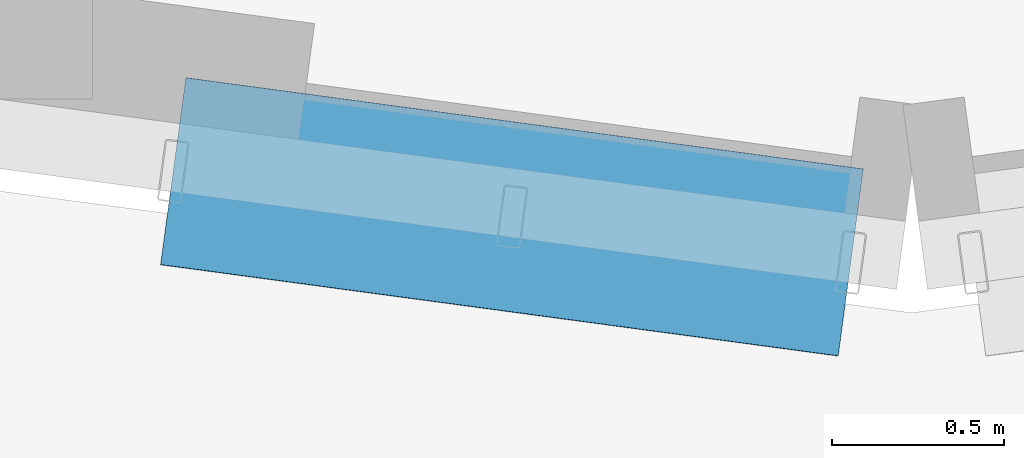
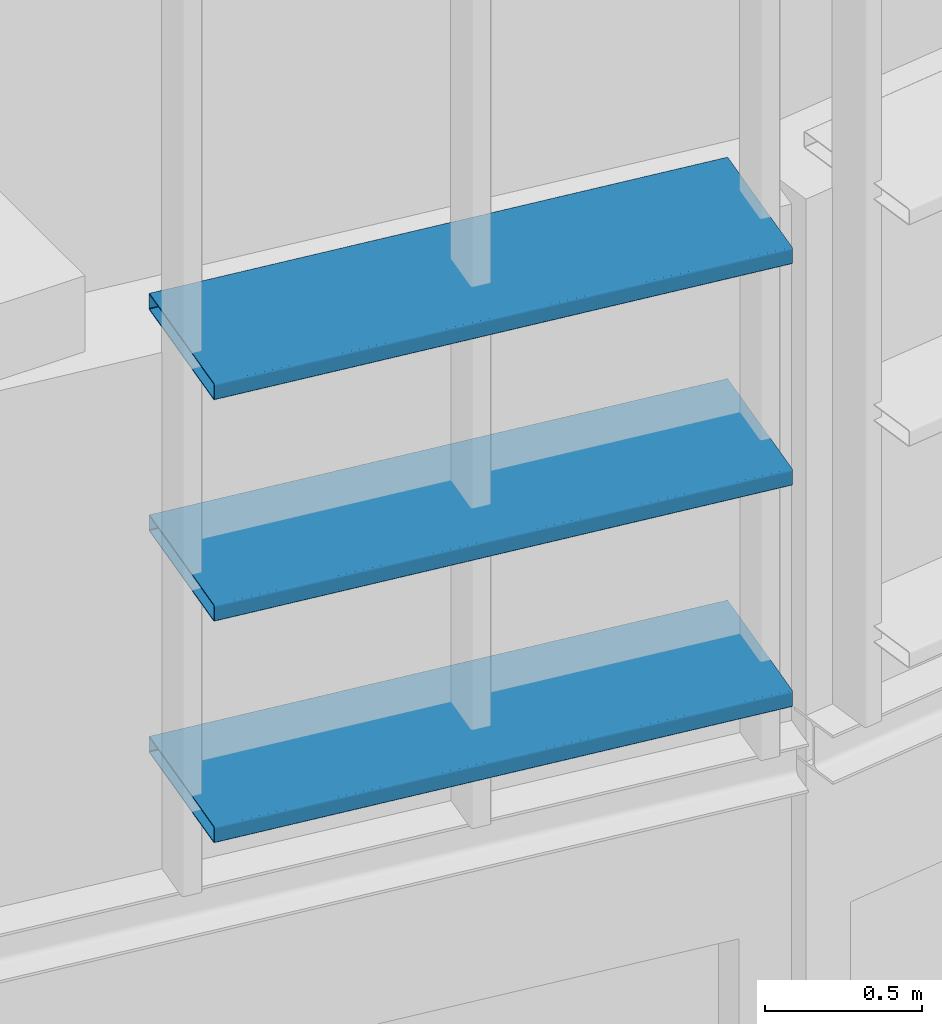
# One storey, part 34 of 372: 3 members.
"""IFC4 building model written with IfcOpenShell, lengths in metres."""

from ifc_helpers import new_model, si_unit, direction, frame, origin, origin_2d, place, context, subcontext, project, spatial, hollow_rectangle, extrude, material, material_profile, profile_set, type_object, element, save


model = new_model("IFC4")

# Units and contexts
model_context = context("Model", 3, precision=1e-05, world=origin(), true_north=direction((0.0, 1.0)))
body_context = subcontext(model_context, "Body", "Model", "MODEL_VIEW")
ifc_project = project(units=[si_unit("LENGTHUNIT", "METRE"), si_unit("AREAUNIT", "SQUARE_METRE"), si_unit("VOLUMEUNIT", "CUBIC_METRE"), si_unit("PLANEANGLEUNIT", "RADIAN"), si_unit("MASSUNIT", "GRAM", prefix="KILO")], contexts=[model_context])

# Site, building, storey
site_placement = place(None, origin())
site = spatial("IfcSite", under=ifc_project, at=site_placement, CompositionType="ELEMENT")
building_placement = place(site_placement, origin())
building = spatial("IfcBuilding", under=site, at=building_placement, Name="Kaelora Sail Theatre", CompositionType="ELEMENT")
storey_placement = place(building_placement, origin())
storey = spatial("IfcBuildingStorey", under=building, at=storey_placement, Name="L00", CompositionType="ELEMENT", Elevation=0.0)

# Members
ifc_material = material(Name="Anodised aluminium 6063-T6", Category="aluminium")
ifc_material_profile = material_profile(ifc_material, hollow_rectangle(XDim=0.550048828125, YDim=0.06494140625, WallThickness=0.00390625, InnerFilletRadius=0.00390625, OuterFilletRadius=0.008056640625, at=origin_2d()), Name="LOUVRE 550x65x4")
ifc_profile_set = profile_set([ifc_material_profile], Name="Anodised aluminium 6063-T6")
member_type = type_object("IfcMemberType", Name="ARC-MEM-LVR-300", PredefinedType="USERDEFINED", material=ifc_profile_set)
for number, where, z_axis, x_axis, name in (
    (1, (41.822021484375, 23.561279296875, 3.449951171875), (-0.991052229698, 0.133474634331, 0.0), (-0.133474634331, -0.991052229698, 0.0), "Main Theatre Sail Drum horizontal solar louvre C12-01"),
    (2, (41.822021484375, 23.561279296875, 4.31005859375), (-0.991052229698, 0.133474634331, 0.0), (-0.133474634331, -0.991052229698, 0.0), "Main Theatre Sail Drum horizontal solar louvre C12-02"),
    (3, (41.822021484375, 23.561279296875, 5.169921875), (-0.991052229698, 0.133474634331, 0.0), (-0.133474634331, -0.991052229698, 0.0), "Main Theatre Sail Drum horizontal solar louvre C12-03"),
):
    element("IfcMember", number, at=place(storey_placement, frame(where, z_axis=z_axis, x_axis=x_axis)), inside=storey, type_object=member_type, Name=name, ObjectType="LOUVRE", PredefinedType="USERDEFINED", context=body_context, shape_type="SweptSolid", body=[
        extrude(hollow_rectangle(XDim=0.550048828125, YDim=0.06494140625, WallThickness=0.00390625, InnerFilletRadius=0.00390625, OuterFilletRadius=0.008056640625, at=origin_2d()), origin(), (0.0, 0.0, 1.0), 1.98828125),
    ])

save(model, "model.ifc")
